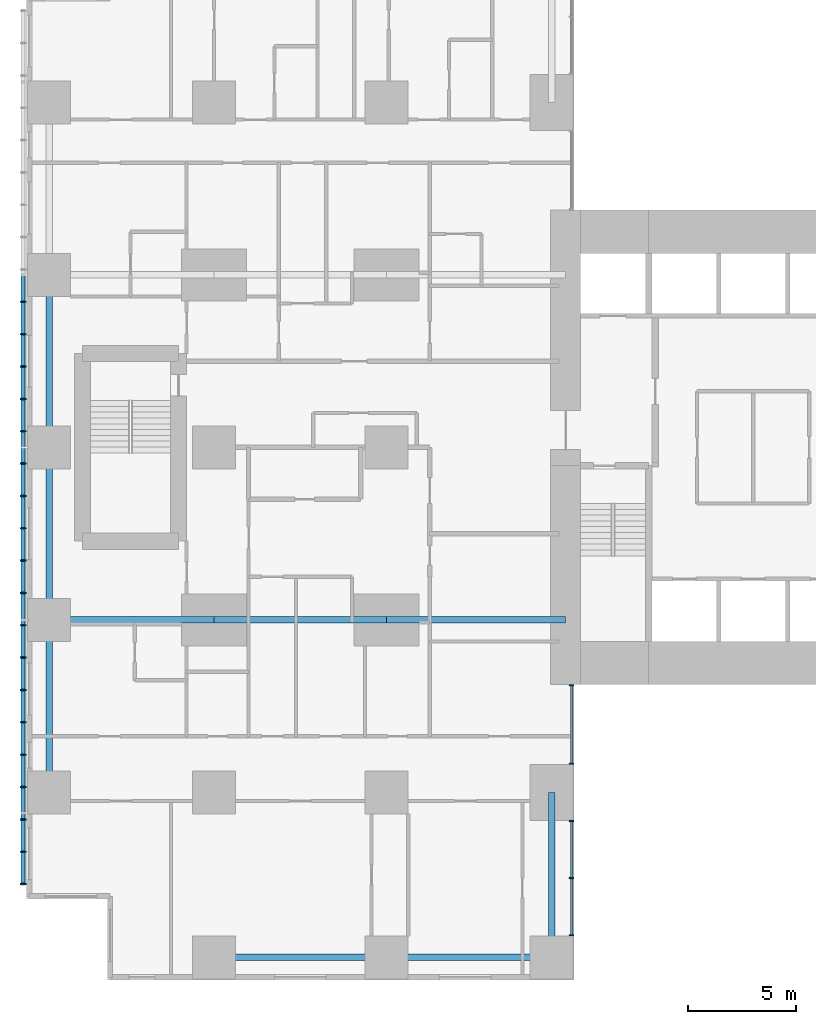
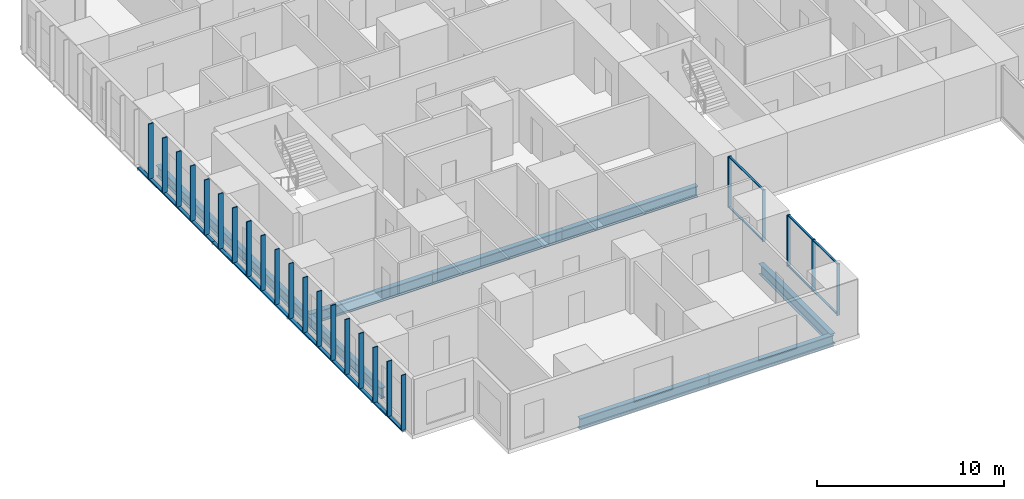
# One storey, part 2 of 20: 33 members, 9 beams, 2 elements without a shape of their own.
"""IFC4 building model written with IfcOpenShell, lengths in metres."""

from ifc_helpers import new_model, si_unit, direction, frame, origin, origin_2d, place, context, subcontext, project, spatial, rectangle, hollow_rectangle, i_section, extrude, material, layer, layer_set, material_profile, profile_set, type_object, element, aggregate, save


model = new_model("IFC4")

# Units and contexts
model_context = context("Model", 3, precision=1e-05, world=origin(), true_north=direction((0.0, 1.0)))
body_context = subcontext(model_context, "Body", "Model", "MODEL_VIEW")
ifc_project = project(units=[si_unit("LENGTHUNIT", "METRE"), si_unit("AREAUNIT", "SQUARE_METRE"), si_unit("VOLUMEUNIT", "CUBIC_METRE"), si_unit("PLANEANGLEUNIT", "RADIAN"), si_unit("MASSUNIT", "GRAM", prefix="KILO")], contexts=[model_context])

# Site, building, storey
site_placement = place(None, origin())
site = spatial("IfcSite", under=ifc_project, at=site_placement, CompositionType="ELEMENT")
building_placement = place(site_placement, origin())
building = spatial("IfcBuilding", under=site, at=building_placement, Name="Cleftline Residences", CompositionType="ELEMENT")
storey_placement = place(building_placement, frame((0.0, 0.0, 114.199951171875)))
storey = spatial("IfcBuildingStorey", under=building, at=storey_placement, Name="L29", CompositionType="ELEMENT", Elevation=114.199951171875)

# Members
ifc_material_1 = material(Name="Steel S355, hot-dip galvanised", Category="steel")
ifc_material_profile_1 = material_profile(ifc_material_1, hollow_rectangle(XDim=0.10009765625, YDim=0.199951171875, WallThickness=0.008056640625, InnerFilletRadius=0.008056640625, OuterFilletRadius=0.011962890625, at=origin_2d()))
ifc_profile_set_1 = profile_set([ifc_material_profile_1], Name="Steel S355, hot-dip galvanised")
member_type_1 = type_object("IfcMemberType", Name="BAGUETTE CARRIER RHS 200X100X8", PredefinedType="USERDEFINED", material=ifc_profile_set_1)
for number, where, z_axis, x_axis, name in (
    (1, (-0.85009765625, 32.0, -0.050048828125), (0.0, -1.0, 0.0), (0.0, 0.0, 1.0), "Baguette carrier"),
    (2, (-0.85009765625, 24.0, -0.050048828125), (0.0, -1.0, 0.0), (0.0, 0.0, 1.0), "Baguette carrier"),
):
    element("IfcMember", number, at=place(storey_placement, frame(where, z_axis=z_axis, x_axis=x_axis)), inside=storey, type_object=member_type_1, Name=name, ObjectType="BAGUETTE CARRIER", PredefinedType="USERDEFINED", context=body_context, shape_type="SweptSolid", body=[
        extrude(hollow_rectangle(XDim=0.10009765625, YDim=0.199951171875, WallThickness=0.008056640625, InnerFilletRadius=0.008056640625, OuterFilletRadius=0.011962890625, at=origin_2d()), origin(), (0.0, 0.0, 1.0), 8.0),
    ])
member_1_placement = place(storey_placement, frame((-0.85009765625, 16.0, -0.050048828125), z_axis=(0.0, -1.0, 0.0), x_axis=(0.0, 0.0, 1.0)))
element("IfcMember", 3, at=member_1_placement, inside=storey, type_object=member_type_1, Name="Baguette carrier", ObjectType="BAGUETTE CARRIER", PredefinedType="USERDEFINED", context=body_context, shape_type="SweptSolid", body=[
    extrude(hollow_rectangle(XDim=0.10009765625, YDim=0.199951171875, WallThickness=0.008056640625, InnerFilletRadius=0.008056640625, OuterFilletRadius=0.011962890625, at=origin_2d()), origin(), (0.0, 0.0, 1.0), 12.300048828125),
])

# Beams
ifc_material_2 = material(Name="Steel S355", Category="steel")
ifc_material_profile_2 = material_profile(ifc_material_2, i_section(OverallWidth=0.300048828125, OverallDepth=0.699951171875, WebThickness=0.01708984375, FlangeThickness=0.031982421875, FilletRadius=0.027099609375, at=origin_2d()))
ifc_profile_set_2 = profile_set([ifc_material_profile_2], Name="Steel S355")
beam_type_1 = type_object("IfcBeamType", Name="BEAM HEB 700", PredefinedType="BEAM", material=ifc_profile_set_2)
for number, where, z_axis, x_axis, name in (
    (4, (0.35009765625, 8.0, -0.599853515625), (0.0, 1.0, 0.0), (-1.0, 0.0, 0.0), "Edge beam"),
    (5, (0.35009765625, 16.0, -0.599853515625), (0.0, 1.0, 0.0), (-1.0, 0.0, 0.0), "Edge beam"),
    (6, (0.35009765625, 24.0, -0.599853515625), (0.0, 1.0, 0.0), (-1.0, 0.0, 0.0), "Edge beam"),
    (7, (8.0, 0.35009765625, -0.599853515625), (1.0, 0.0, 0.0), (0.0, 1.0, 0.0), "Edge beam"),
):
    element("IfcBeam", number, at=place(storey_placement, frame(where, z_axis=z_axis, x_axis=x_axis)), inside=storey, type_object=beam_type_1, Name=name, PredefinedType="BEAM", context=body_context, shape_type="SweptSolid", body=[
        extrude(i_section(OverallWidth=0.300048828125, OverallDepth=0.699951171875, WebThickness=0.01708984375, FlangeThickness=0.031982421875, FilletRadius=0.027099609375, at=origin_2d()), origin(), (0.0, 0.0, 1.0), 8.0),
    ])
for number, where, z_axis, x_axis, name in (
    (8, (16.0, 0.35009765625, -0.599853515625), (1.0, 0.0, 0.0), (0.0, 1.0, 0.0), "Edge beam"),
    (9, (23.64990234375, 0.35009765625, -0.599853515625), (0.0, 1.0, 0.0), (-1.0, 0.0, 0.0), "Edge beam"),
):
    element("IfcBeam", number, at=place(storey_placement, frame(where, z_axis=z_axis, x_axis=x_axis)), inside=storey, type_object=beam_type_1, Name=name, PredefinedType="BEAM", context=body_context, shape_type="SweptSolid", body=[
        extrude(i_section(OverallWidth=0.300048828125, OverallDepth=0.699951171875, WebThickness=0.01708984375, FlangeThickness=0.031982421875, FilletRadius=0.027099609375, at=origin_2d()), origin(), (0.0, 0.0, 1.0), 7.64990234375),
    ])
ifc_material_3 = material(Name="Steel S355", Category="steel")
ifc_material_profile_3 = material_profile(ifc_material_3, i_section(OverallWidth=0.303955078125, OverallDepth=0.716064453125, WebThickness=0.02099609375, FlangeThickness=0.0400390625, FilletRadius=0.027099609375, at=origin_2d()))
ifc_profile_set_3 = profile_set([ifc_material_profile_3], Name="Steel S355")
beam_type_2 = type_object("IfcBeamType", Name="BEAM HEM 700", PredefinedType="BEAM", material=ifc_profile_set_3)
beam_1_placement = place(storey_placement, frame((0.35009765625, 16.0, -0.60791015625), z_axis=(1.0, 0.0, 0.0), x_axis=(0.0, 1.0, 0.0)))
element("IfcBeam", 10, at=beam_1_placement, inside=storey, type_object=beam_type_2, Name="Band beam", PredefinedType="BEAM", context=body_context, shape_type="SweptSolid", body=[
    extrude(i_section(OverallWidth=0.303955078125, OverallDepth=0.716064453125, WebThickness=0.02099609375, FlangeThickness=0.0400390625, FilletRadius=0.027099609375, at=origin_2d()), origin(), (0.0, 0.0, 1.0), 7.64990234375),
])
beam_2_placement = place(storey_placement, frame((8.0, 16.0, -0.60791015625), z_axis=(1.0, 0.0, 0.0), x_axis=(0.0, 1.0, 0.0)))
element("IfcBeam", 11, at=beam_2_placement, inside=storey, type_object=beam_type_2, Name="Band beam", PredefinedType="BEAM", context=body_context, shape_type="SweptSolid", body=[
    extrude(i_section(OverallWidth=0.303955078125, OverallDepth=0.716064453125, WebThickness=0.02099609375, FlangeThickness=0.0400390625, FilletRadius=0.027099609375, at=origin_2d()), origin(), (0.0, 0.0, 1.0), 8.0),
])
beam_3_placement = place(storey_placement, frame((16.0, 16.0, -0.60791015625), z_axis=(1.0, 0.0, 0.0), x_axis=(0.0, 1.0, 0.0)))
element("IfcBeam", 12, at=beam_3_placement, inside=storey, type_object=beam_type_2, Name="Band beam", PredefinedType="BEAM", context=body_context, shape_type="SweptSolid", body=[
    extrude(i_section(OverallWidth=0.303955078125, OverallDepth=0.716064453125, WebThickness=0.02099609375, FlangeThickness=0.0400390625, FilletRadius=0.027099609375, at=origin_2d()), origin(), (0.0, 0.0, 1.0), 8.300048828125),
])

# Curtain wall, members
ifc_material_4 = material(Name="Aluminium framed curtain wall", Category="aluminium")
ifc_layer = layer(ifc_material_4, 0.199951171875)
ifc_layer_set = layer_set([ifc_layer], Name="CW1 CLEFT GLAZING")
curtain_wall_type = type_object("IfcCurtainWallType", Name="CW1 CLEFT GLAZING", PredefinedType="NOTDEFINED", material=ifc_layer_set)
curtain_wall_1_placement = place(storey_placement, origin())
curtain_wall_1 = element("IfcCurtainWall", 13, at=curtain_wall_1_placement, inside=storey, type_object=curtain_wall_type, Name="Curtain wall CW1", PredefinedType="NOTDEFINED")
ifc_material_5 = material(Name="Aluminium mullion", Category="aluminium")
ifc_material_profile_4 = material_profile(ifc_material_5, rectangle(XDim=0.199951171875, YDim=0.06005859375, at=origin_2d()))
ifc_profile_set_4 = profile_set([ifc_material_profile_4], Name="Aluminium mullion")
member_type_2 = type_object("IfcMemberType", Name="CW1 MULLION", PredefinedType="MULLION", material=ifc_profile_set_4)
member_2_placement = place(storey_placement, frame((24.574951171875, 1.3798828125, 0.0), z_axis=(0.0, 0.0, 1.0), x_axis=(-1.0, 0.0, 0.0)))
member_2 = element("IfcMember", 14, at=member_2_placement, type_object=member_type_2, Name="CW1 mullion 1", PredefinedType="MULLION", context=body_context, shape_type="SweptSolid", body=[
    extrude(rectangle(XDim=0.199951171875, YDim=0.06005859375, at=origin_2d()), origin(), (0.0, 0.0, 1.0), 3.35009765625),
])
member_3_placement = place(storey_placement, frame((24.574951171875, 4.02490234375, 0.0), z_axis=(0.0, 0.0, 1.0), x_axis=(-1.0, 0.0, 0.0)))
member_3 = element("IfcMember", 15, at=member_3_placement, type_object=member_type_2, Name="CW1 mullion 2", PredefinedType="MULLION", context=body_context, shape_type="SweptSolid", body=[
    extrude(rectangle(XDim=0.199951171875, YDim=0.06005859375, at=origin_2d()), origin(), (0.0, 0.0, 1.0), 3.35009765625),
])
member_4_placement = place(storey_placement, frame((24.574951171875, 6.669921875, 0.0), z_axis=(0.0, 0.0, 1.0), x_axis=(-1.0, 0.0, 0.0)))
member_4 = element("IfcMember", 16, at=member_4_placement, type_object=member_type_2, Name="CW1 mullion 3", PredefinedType="MULLION", context=body_context, shape_type="SweptSolid", body=[
    extrude(rectangle(XDim=0.199951171875, YDim=0.06005859375, at=origin_2d()), origin(), (0.0, 0.0, 1.0), 3.35009765625),
])

curtain_wall_2_placement = place(storey_placement, origin())
curtain_wall_2 = element("IfcCurtainWall", 17, at=curtain_wall_2_placement, inside=storey, type_object=curtain_wall_type, Name="Curtain wall CW1", PredefinedType="NOTDEFINED")
member_5_placement = place(storey_placement, frame((24.574951171875, 9.330078125, 0.0), z_axis=(0.0, 0.0, 1.0), x_axis=(-1.0, 0.0, 0.0)))
member_5 = element("IfcMember", 18, at=member_5_placement, type_object=member_type_2, Name="CW1 mullion 1", PredefinedType="MULLION", context=body_context, shape_type="SweptSolid", body=[
    extrude(rectangle(XDim=0.199951171875, YDim=0.06005859375, at=origin_2d()), origin(), (0.0, 0.0, 1.0), 3.35009765625),
])
member_6_placement = place(storey_placement, frame((24.574951171875, 12.969970703125, 0.0), z_axis=(0.0, 0.0, 1.0), x_axis=(-1.0, 0.0, 0.0)))
member_6 = element("IfcMember", 19, at=member_6_placement, type_object=member_type_2, Name="CW1 mullion 2", PredefinedType="MULLION", context=body_context, shape_type="SweptSolid", body=[
    extrude(rectangle(XDim=0.199951171875, YDim=0.06005859375, at=origin_2d()), origin(), (0.0, 0.0, 1.0), 3.35009765625),
])

# Member
ifc_material_6 = material(Name="Aluminium transom", Category="aluminium")
ifc_material_profile_5 = material_profile(ifc_material_6, rectangle(XDim=0.1201171875, YDim=0.06005859375, at=origin_2d()))
ifc_profile_set_5 = profile_set([ifc_material_profile_5], Name="Aluminium transom")
member_type_3 = type_object("IfcMemberType", Name="CW1 TRANSOM", PredefinedType="USERDEFINED", material=ifc_profile_set_5)
member_7_placement = place(storey_placement, frame((24.574951171875, 1.409912109375, 0.030029296875), z_axis=(0.0, 1.0, 0.0), x_axis=(-1.0, 0.0, 0.0)))
member_7 = element("IfcMember", 20, at=member_7_placement, type_object=member_type_3, Name="CW1 transom 1.1", ObjectType="TRANSOM", PredefinedType="USERDEFINED", context=body_context, shape_type="SweptSolid", body=[
    extrude(rectangle(XDim=0.1201171875, YDim=0.06005859375, at=origin_2d()), origin(), (0.0, 0.0, 1.0), 2.585205078125),
])

member_8_placement = place(storey_placement, frame((24.574951171875, 1.409912109375, 3.320068359375), z_axis=(0.0, 1.0, 0.0), x_axis=(-1.0, 0.0, 0.0)))
member_8 = element("IfcMember", 21, at=member_8_placement, type_object=member_type_3, Name="CW1 transom 1.2", ObjectType="TRANSOM", PredefinedType="USERDEFINED", context=body_context, shape_type="SweptSolid", body=[
    extrude(rectangle(XDim=0.1201171875, YDim=0.06005859375, at=origin_2d()), origin(), (0.0, 0.0, 1.0), 2.585205078125),
])

member_9_placement = place(storey_placement, frame((24.574951171875, 4.054931640625, 0.030029296875), z_axis=(0.0, 1.0, 0.0), x_axis=(-1.0, 0.0, 0.0)))
member_9 = element("IfcMember", 22, at=member_9_placement, type_object=member_type_3, Name="CW1 transom 2.1", ObjectType="TRANSOM", PredefinedType="USERDEFINED", context=body_context, shape_type="SweptSolid", body=[
    extrude(rectangle(XDim=0.1201171875, YDim=0.06005859375, at=origin_2d()), origin(), (0.0, 0.0, 1.0), 2.5849609375),
])

member_10_placement = place(storey_placement, frame((24.574951171875, 4.054931640625, 3.320068359375), z_axis=(0.0, 1.0, 0.0), x_axis=(-1.0, 0.0, 0.0)))
member_10 = element("IfcMember", 23, at=member_10_placement, type_object=member_type_3, Name="CW1 transom 2.2", ObjectType="TRANSOM", PredefinedType="USERDEFINED", context=body_context, shape_type="SweptSolid", body=[
    extrude(rectangle(XDim=0.1201171875, YDim=0.06005859375, at=origin_2d()), origin(), (0.0, 0.0, 1.0), 2.5849609375),
])

aggregate(curtain_wall_1, [member_2, member_3, member_4, member_7, member_8, member_9, member_10])

member_11_placement = place(storey_placement, frame((24.574951171875, 9.360107421875, 0.030029296875), z_axis=(0.0, 1.0, 0.0), x_axis=(-1.0, 0.0, 0.0)))
member_11 = element("IfcMember", 24, at=member_11_placement, type_object=member_type_3, Name="CW1 transom 1.1", ObjectType="TRANSOM", PredefinedType="USERDEFINED", context=body_context, shape_type="SweptSolid", body=[
    extrude(rectangle(XDim=0.1201171875, YDim=0.06005859375, at=origin_2d()), origin(), (0.0, 0.0, 1.0), 3.579833984375),
])

member_12_placement = place(storey_placement, frame((24.574951171875, 9.360107421875, 3.320068359375), z_axis=(0.0, 1.0, 0.0), x_axis=(-1.0, 0.0, 0.0)))
member_12 = element("IfcMember", 25, at=member_12_placement, type_object=member_type_3, Name="CW1 transom 1.2", ObjectType="TRANSOM", PredefinedType="USERDEFINED", context=body_context, shape_type="SweptSolid", body=[
    extrude(rectangle(XDim=0.1201171875, YDim=0.06005859375, at=origin_2d()), origin(), (0.0, 0.0, 1.0), 3.579833984375),
])

aggregate(curtain_wall_2, [member_5, member_6, member_11, member_12])

# Members
ifc_material_7 = material(Name="Extruded terracotta", Category="masonry")
ifc_material_profile_6 = material_profile(ifc_material_7, rectangle(XDim=0.06005859375, YDim=0.300048828125, at=origin_2d()))
ifc_profile_set_6 = profile_set([ifc_material_profile_6], Name="Extruded terracotta")
member_type_4 = type_object("IfcMemberType", Name="TERRACOTTA BAGUETTE 60X300", PredefinedType="USERDEFINED", material=ifc_profile_set_6)
for number, where, z_axis, x_axis, name in (
    (26, (-0.85009765625, 30.75, 0.0), (0.0, 0.0, 1.0), (0.0, 1.0, 0.0), "Terracotta baguette"),
    (27, (-0.85009765625, 29.25, 0.0), (0.0, 0.0, 1.0), (0.0, 1.0, 0.0), "Terracotta baguette"),
    (28, (-0.85009765625, 27.75, 0.0), (0.0, 0.0, 1.0), (0.0, 1.0, 0.0), "Terracotta baguette"),
    (29, (-0.85009765625, 26.25, 0.0), (0.0, 0.0, 1.0), (0.0, 1.0, 0.0), "Terracotta baguette"),
    (30, (-0.85009765625, 24.75, 0.0), (0.0, 0.0, 1.0), (0.0, 1.0, 0.0), "Terracotta baguette"),
    (31, (-0.85009765625, 23.25, 0.0), (0.0, 0.0, 1.0), (0.0, 1.0, 0.0), "Terracotta baguette"),
    (32, (-0.85009765625, 21.75, 0.0), (0.0, 0.0, 1.0), (0.0, 1.0, 0.0), "Terracotta baguette"),
    (33, (-0.85009765625, 20.25, 0.0), (0.0, 0.0, 1.0), (0.0, 1.0, 0.0), "Terracotta baguette"),
    (34, (-0.85009765625, 18.75, 0.0), (0.0, 0.0, 1.0), (0.0, 1.0, 0.0), "Terracotta baguette"),
    (35, (-0.85009765625, 17.25, 0.0), (0.0, 0.0, 1.0), (0.0, 1.0, 0.0), "Terracotta baguette"),
    (36, (-0.85009765625, 15.75, 0.0), (0.0, 0.0, 1.0), (0.0, 1.0, 0.0), "Terracotta baguette"),
    (37, (-0.85009765625, 14.25, 0.0), (0.0, 0.0, 1.0), (0.0, 1.0, 0.0), "Terracotta baguette"),
    (38, (-0.85009765625, 12.75, 0.0), (0.0, 0.0, 1.0), (0.0, 1.0, 0.0), "Terracotta baguette"),
    (39, (-0.85009765625, 11.25, 0.0), (0.0, 0.0, 1.0), (0.0, 1.0, 0.0), "Terracotta baguette"),
    (40, (-0.85009765625, 9.75, 0.0), (0.0, 0.0, 1.0), (0.0, 1.0, 0.0), "Terracotta baguette"),
    (41, (-0.85009765625, 8.25, 0.0), (0.0, 0.0, 1.0), (0.0, 1.0, 0.0), "Terracotta baguette"),
    (42, (-0.85009765625, 6.75, 0.0), (0.0, 0.0, 1.0), (0.0, 1.0, 0.0), "Terracotta baguette"),
    (43, (-0.85009765625, 5.25, 0.0), (0.0, 0.0, 1.0), (0.0, 1.0, 0.0), "Terracotta baguette"),
    (44, (-0.85009765625, 3.75, 0.0), (0.0, 0.0, 1.0), (0.0, 1.0, 0.0), "Terracotta baguette"),
):
    element("IfcMember", number, at=place(storey_placement, frame(where, z_axis=z_axis, x_axis=x_axis)), inside=storey, type_object=member_type_4, Name=name, ObjectType="BAGUETTE", PredefinedType="USERDEFINED", context=body_context, shape_type="SweptSolid", body=[
        extrude(rectangle(XDim=0.06005859375, YDim=0.300048828125, at=origin_2d()), origin(), (0.0, 0.0, 1.0), 3.60009765625),
    ])

save(model, "model.ifc")
